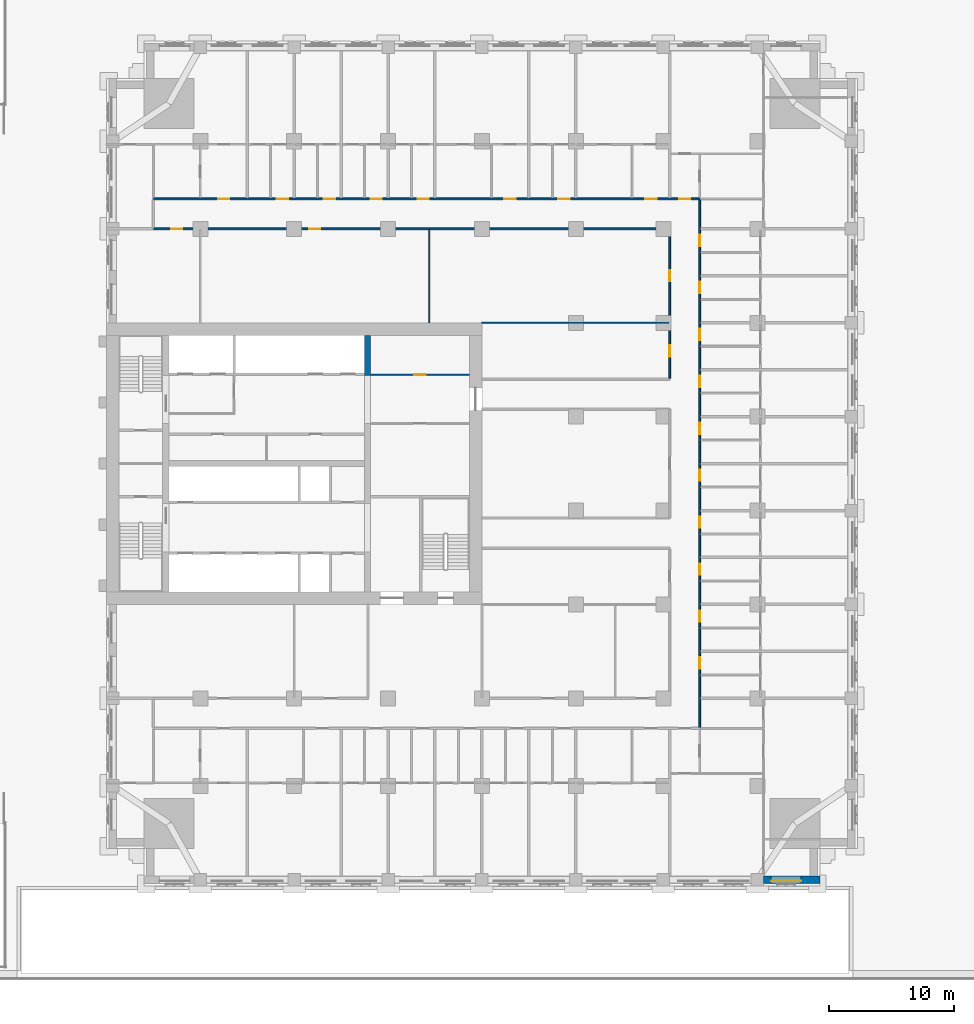
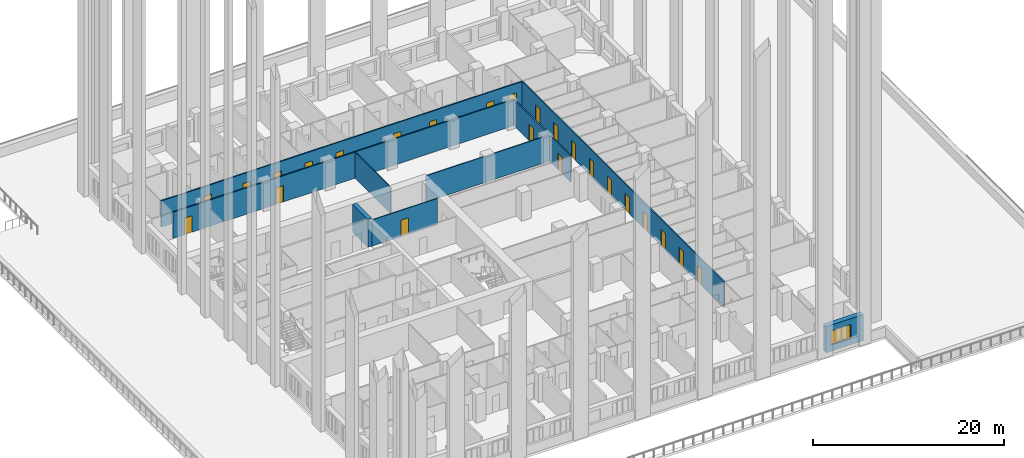
# One storey, part 15 of 27: 24 doors, 9 walls, 1 window, 25 openings.
"""IFC4 building model written with IfcOpenShell, lengths in metres."""

from ifc_helpers import new_model, si_unit, direction, frame, frame_2d, origin, place, context, subcontext, project, spatial, rectangle, extrude, material, layer, layer_set, type_object, element, fill, save


model = new_model("IFC4")

# Units and contexts
model_context = context("Model", 3, precision=1e-05, world=origin(), true_north=direction((0.0, 1.0)))
body_context = subcontext(model_context, "Body", "Model", "MODEL_VIEW")
ifc_project = project(units=[si_unit("LENGTHUNIT", "METRE"), si_unit("AREAUNIT", "SQUARE_METRE"), si_unit("VOLUMEUNIT", "CUBIC_METRE"), si_unit("PLANEANGLEUNIT", "RADIAN"), si_unit("MASSUNIT", "GRAM", prefix="KILO")], contexts=[model_context])

# Site, building, storey
site_placement = place(None, origin())
site = spatial("IfcSite", under=ifc_project, at=site_placement, CompositionType="ELEMENT")
building_placement = place(site_placement, origin())
building = spatial("IfcBuilding", under=site, at=building_placement, Name="Tamorin Gate", CompositionType="ELEMENT")
storey_placement = place(building_placement, frame((0.0, 0.0, 34.0)))
storey = spatial("IfcBuildingStorey", under=building, at=storey_placement, Name="L06", CompositionType="ELEMENT", Elevation=34.0)

# Wall, opening, window
ifc_material_1 = material(Name="Precast concrete C40/50", Category="concrete")
ifc_layer_1 = layer(ifc_material_1, 0.60009765625)
ifc_layer_set_1 = layer_set([ifc_layer_1], Name="Precast concrete C40/50")
wall_type_1 = type_object("IfcWallType", Name="Board-marked concrete facade panel 600", PredefinedType="SOLIDWALL", material=ifc_layer_set_1)
wall_1_placement = place(storey_placement, frame((82.5, 38.0, 0.0), z_axis=(0.0, 0.0, 1.0), x_axis=(1.0, 0.0, 0.0)))
wall_1 = element("IfcWall", 1, at=wall_1_placement, inside=storey, type_object=wall_type_1, Name="Facade panel", PredefinedType="SOLIDWALL", context=body_context, shape_type="SweptSolid", body=[
    extrude(rectangle(XDim=4.5, YDim=0.60009765625, at=frame_2d((2.25, 0.0))), origin(), (0.0, 0.0, 1.0), 3.35009765625),
])
opening_1_placement = place(wall_1_placement, frame((0.60009765625, 0.0, 0.800048828125)))
opening_1 = element("IfcOpeningElement", 2, at=opening_1_placement, cuts=wall_1, Name="Opening WN1", PredefinedType="OPENING", context=body_context, shape_type="SweptSolid", body=[
    extrude(rectangle(XDim=2.39990234375, YDim=1.800048828125, at=frame_2d((1.199951171875, 0.89990234375))), frame((0.0, 0.31005859375, 0.0), z_axis=(0.0, -1.0, 0.0), x_axis=(1.0, 0.0, 0.0)), (0.0, 0.0, 1.0), 0.6201171875),
])
ifc_material_2 = material(Name="Clear glass in aluminium frame", Category="aluminium")
window_type = type_object("IfcWindowType", Name="Deep-set window 2400x1800", PartitioningType="SINGLE_PANEL", PredefinedType="WINDOW", material=ifc_material_2)
window_placement = place(opening_1_placement, origin())
window = element("IfcWindow", 3, at=window_placement, inside=storey, type_object=window_type, Name="Deep-set window", OverallHeight=1.800048828125, OverallWidth=2.39990234375, PartitioningType="SINGLE_PANEL", PredefinedType="WINDOW", context=body_context, shape_type="SweptSolid", body=[
    extrude(rectangle(XDim=2.39990234375, YDim=1.800048828125, at=frame_2d((1.199951171875, 0.89990234375))), frame((0.0, -0.070068359375, 0.0), z_axis=(0.0, -1.0, 0.0), x_axis=(1.0, 0.0, 0.0)), (0.0, 0.0, 1.0), 0.06005859375),
])
fill(opening_1, window)

# Wall, openings, doors
ifc_material_3 = material(Name="Gypsum board partition")
ifc_layer_2 = layer(ifc_material_3, 0.14990234375)
ifc_layer_set_2 = layer_set([ifc_layer_2], Name="Corridor wall 150")
wall_type_2 = type_object("IfcWallType", Name="Corridor wall 150", PredefinedType="PARTITIONING", material=ifc_layer_set_2)
wall_2_placement = place(storey_placement, frame((33.75, 90.0, 0.0), z_axis=(0.0, 0.0, 1.0), x_axis=(1.0, 0.0, 0.0)))
wall_2 = element("IfcWall", 4, at=wall_2_placement, inside=storey, type_object=wall_type_2, Name="Corridor wall 150", PredefinedType="PARTITIONING", context=body_context, shape_type="SweptSolid", body=[
    extrude(rectangle(XDim=41.25, YDim=0.14990234375, at=frame_2d((20.625, 0.0))), origin(), (0.0, 0.0, 1.0), 3.35009765625),
])
opening_2_placement = place(wall_2_placement, frame((1.425048828125, 0.0, 0.0)))
opening_2 = element("IfcOpeningElement", 5, at=opening_2_placement, cuts=wall_2, Name="Opening DH1097", PredefinedType="OPENING", context=body_context, shape_type="SweptSolid", body=[
    extrude(rectangle(XDim=0.89990234375, YDim=2.10009765625, at=frame_2d((0.449951171875, 1.050048828125))), frame((0.0, 0.0849609375, 0.0), z_axis=(0.0, -1.0, 0.0), x_axis=(1.0, 0.0, 0.0)), (0.0, 0.0, 1.0), 0.169921875),
])
opening_3_placement = place(wall_2_placement, frame((12.449951171875, 0.0, 0.0)))
opening_3 = element("IfcOpeningElement", 6, at=opening_3_placement, cuts=wall_2, Name="Opening DH1098", PredefinedType="OPENING", context=body_context, shape_type="SweptSolid", body=[
    extrude(rectangle(XDim=0.89990234375, YDim=2.10009765625, at=frame_2d((0.449951171875, 1.050048828125))), frame((0.0, 0.0849609375, 0.0), z_axis=(0.0, -1.0, 0.0), x_axis=(1.0, 0.0, 0.0)), (0.0, 0.0, 1.0), 0.169921875),
])
ifc_material_4 = material(Name="Timber door leaf", Category="wood")
door_type_1 = type_object("IfcDoorType", Name="Door 900 x 2100 FD30S", OperationType="NOTDEFINED", PredefinedType="DOOR", material=ifc_material_4)
door_1_placement = place(opening_2_placement, origin())
door_1 = element("IfcDoor", 7, at=door_1_placement, inside=storey, type_object=door_type_1, Name="Door DH1097", OperationType="SINGLE_SWING_RIGHT", OverallHeight=2.10009765625, OverallWidth=0.89990234375, PredefinedType="DOOR", context=body_context, shape_type="SweptSolid", body=[
    extrude(rectangle(XDim=0.89990234375, YDim=2.10009765625, at=frame_2d((0.449951171875, 1.050048828125))), frame((0.0, 0.02490234375, 0.0), z_axis=(0.0, -1.0, 0.0), x_axis=(1.0, 0.0, 0.0)), (0.0, 0.0, 1.0), 0.050048828125),
])
fill(opening_2, door_1)
door_2_placement = place(opening_3_placement, origin())
door_2 = element("IfcDoor", 8, at=door_2_placement, inside=storey, type_object=door_type_1, Name="Door DH1098", OperationType="SINGLE_SWING_RIGHT", OverallHeight=2.10009765625, OverallWidth=0.89990234375, PredefinedType="DOOR", context=body_context, shape_type="SweptSolid", body=[
    extrude(rectangle(XDim=0.89990234375, YDim=2.10009765625, at=frame_2d((0.449951171875, 1.050048828125))), frame((0.0, 0.02490234375, 0.0), z_axis=(0.0, -1.0, 0.0), x_axis=(1.0, 0.0, 0.0)), (0.0, 0.0, 1.0), 0.050048828125),
])
fill(opening_3, door_2)

wall_3_placement = place(storey_placement, frame((33.75, 92.39990234375, 0.0), z_axis=(0.0, 0.0, 1.0), x_axis=(1.0, 0.0, 0.0)))
wall_3 = element("IfcWall", 9, at=wall_3_placement, inside=storey, type_object=wall_type_2, Name="Corridor wall 150", PredefinedType="PARTITIONING", context=body_context, shape_type="SweptSolid", body=[
    extrude(rectangle(XDim=43.64990234375, YDim=0.14990234375, at=frame_2d((21.824951171875, 0.0))), origin(), (0.0, 0.0, 1.0), 3.35009765625),
])
opening_4_placement = place(wall_3_placement, frame((5.175048828125, 0.0, 0.0)))
opening_4 = element("IfcOpeningElement", 10, at=opening_4_placement, cuts=wall_3, Name="Opening DH1028", PredefinedType="OPENING", context=body_context, shape_type="SweptSolid", body=[
    extrude(rectangle(XDim=0.89990234375, YDim=2.10009765625, at=frame_2d((0.449951171875, 1.050048828125))), frame((0.0, 0.0849609375, 0.0), z_axis=(0.0, -1.0, 0.0), x_axis=(1.0, 0.0, 0.0)), (0.0, 0.0, 1.0), 0.169921875),
])
opening_5_placement = place(wall_3_placement, frame((9.862548828125, 0.0, 0.0)))
opening_5 = element("IfcOpeningElement", 11, at=opening_5_placement, cuts=wall_3, Name="Opening DH1031", PredefinedType="OPENING", context=body_context, shape_type="SweptSolid", body=[
    extrude(rectangle(XDim=0.89990234375, YDim=2.10009765625, at=frame_2d((0.449951171875, 1.050048828125))), frame((0.0, 0.0849609375, 0.0), z_axis=(0.0, -1.0, 0.0), x_axis=(1.0, 0.0, 0.0)), (0.0, 0.0, 1.0), 0.169921875),
])
opening_6_placement = place(wall_3_placement, frame((13.612548828125, 0.0, 0.0)))
opening_6 = element("IfcOpeningElement", 12, at=opening_6_placement, cuts=wall_3, Name="Opening DH1034", PredefinedType="OPENING", context=body_context, shape_type="SweptSolid", body=[
    extrude(rectangle(XDim=0.89990234375, YDim=2.10009765625, at=frame_2d((0.449951171875, 1.050048828125))), frame((0.0, 0.0849609375, 0.0), z_axis=(0.0, -1.0, 0.0), x_axis=(1.0, 0.0, 0.0)), (0.0, 0.0, 1.0), 0.169921875),
])
opening_7_placement = place(wall_3_placement, frame((17.362548828125, 0.0, 0.0)))
opening_7 = element("IfcOpeningElement", 13, at=opening_7_placement, cuts=wall_3, Name="Opening DH1037", PredefinedType="OPENING", context=body_context, shape_type="SweptSolid", body=[
    extrude(rectangle(XDim=0.89990234375, YDim=2.10009765625, at=frame_2d((0.449951171875, 1.050048828125))), frame((0.0, 0.0849609375, 0.0), z_axis=(0.0, -1.0, 0.0), x_axis=(1.0, 0.0, 0.0)), (0.0, 0.0, 1.0), 0.169921875),
])
opening_8_placement = place(wall_3_placement, frame((21.112548828125, 0.0, 0.0)))
opening_8 = element("IfcOpeningElement", 14, at=opening_8_placement, cuts=wall_3, Name="Opening DH1040", PredefinedType="OPENING", context=body_context, shape_type="SweptSolid", body=[
    extrude(rectangle(XDim=0.89990234375, YDim=2.10009765625, at=frame_2d((0.449951171875, 1.050048828125))), frame((0.0, 0.0849609375, 0.0), z_axis=(0.0, -1.0, 0.0), x_axis=(1.0, 0.0, 0.0)), (0.0, 0.0, 1.0), 0.169921875),
])
opening_9_placement = place(wall_3_placement, frame((28.050048828125, 0.0, 0.0)))
opening_9 = element("IfcOpeningElement", 15, at=opening_9_placement, cuts=wall_3, Name="Opening DH1043", PredefinedType="OPENING", context=body_context, shape_type="SweptSolid", body=[
    extrude(rectangle(XDim=0.89990234375, YDim=2.10009765625, at=frame_2d((0.449951171875, 1.050048828125))), frame((0.0, 0.0849609375, 0.0), z_axis=(0.0, -1.0, 0.0), x_axis=(1.0, 0.0, 0.0)), (0.0, 0.0, 1.0), 0.169921875),
])
opening_10_placement = place(wall_3_placement, frame((32.362548828125, 0.0, 0.0)))
opening_10 = element("IfcOpeningElement", 16, at=opening_10_placement, cuts=wall_3, Name="Opening DH1046", PredefinedType="OPENING", context=body_context, shape_type="SweptSolid", body=[
    extrude(rectangle(XDim=0.89990234375, YDim=2.10009765625, at=frame_2d((0.449951171875, 1.050048828125))), frame((0.0, 0.0849609375, 0.0), z_axis=(0.0, -1.0, 0.0), x_axis=(1.0, 0.0, 0.0)), (0.0, 0.0, 1.0), 0.169921875),
])
opening_11_placement = place(wall_3_placement, frame((39.300048828125, 0.0, 0.0)))
opening_11 = element("IfcOpeningElement", 17, at=opening_11_placement, cuts=wall_3, Name="Opening DH1049", PredefinedType="OPENING", context=body_context, shape_type="SweptSolid", body=[
    extrude(rectangle(XDim=0.89990234375, YDim=2.10009765625, at=frame_2d((0.449951171875, 1.050048828125))), frame((0.0, 0.0849609375, 0.0), z_axis=(0.0, -1.0, 0.0), x_axis=(1.0, 0.0, 0.0)), (0.0, 0.0, 1.0), 0.169921875),
])
opening_12_placement = place(wall_3_placement, frame((42.0, 0.0, 0.0)))
opening_12 = element("IfcOpeningElement", 18, at=opening_12_placement, cuts=wall_3, Name="Opening DH1087", PredefinedType="OPENING", context=body_context, shape_type="SweptSolid", body=[
    extrude(rectangle(XDim=0.89990234375, YDim=2.10009765625, at=frame_2d((0.449951171875, 1.050048828125))), frame((0.0, 0.0849609375, 0.0), z_axis=(0.0, -1.0, 0.0), x_axis=(1.0, 0.0, 0.0)), (0.0, 0.0, 1.0), 0.169921875),
])
door_3_placement = place(opening_4_placement, origin())
door_3 = element("IfcDoor", 19, at=door_3_placement, inside=storey, type_object=door_type_1, Name="Door DH1028", OperationType="SINGLE_SWING_LEFT", OverallHeight=2.10009765625, OverallWidth=0.89990234375, PredefinedType="DOOR", context=body_context, shape_type="SweptSolid", body=[
    extrude(rectangle(XDim=0.89990234375, YDim=2.10009765625, at=frame_2d((0.449951171875, 1.050048828125))), frame((0.0, 0.02490234375, 0.0), z_axis=(0.0, -1.0, 0.0), x_axis=(1.0, 0.0, 0.0)), (0.0, 0.0, 1.0), 0.050048828125),
])
fill(opening_4, door_3)
door_4_placement = place(opening_5_placement, origin())
door_4 = element("IfcDoor", 20, at=door_4_placement, inside=storey, type_object=door_type_1, Name="Door DH1031", OperationType="SINGLE_SWING_LEFT", OverallHeight=2.10009765625, OverallWidth=0.89990234375, PredefinedType="DOOR", context=body_context, shape_type="SweptSolid", body=[
    extrude(rectangle(XDim=0.89990234375, YDim=2.10009765625, at=frame_2d((0.449951171875, 1.050048828125))), frame((0.0, 0.02490234375, 0.0), z_axis=(0.0, -1.0, 0.0), x_axis=(1.0, 0.0, 0.0)), (0.0, 0.0, 1.0), 0.050048828125),
])
fill(opening_5, door_4)
door_5_placement = place(opening_6_placement, origin())
door_5 = element("IfcDoor", 21, at=door_5_placement, inside=storey, type_object=door_type_1, Name="Door DH1034", OperationType="SINGLE_SWING_LEFT", OverallHeight=2.10009765625, OverallWidth=0.89990234375, PredefinedType="DOOR", context=body_context, shape_type="SweptSolid", body=[
    extrude(rectangle(XDim=0.89990234375, YDim=2.10009765625, at=frame_2d((0.449951171875, 1.050048828125))), frame((0.0, 0.02490234375, 0.0), z_axis=(0.0, -1.0, 0.0), x_axis=(1.0, 0.0, 0.0)), (0.0, 0.0, 1.0), 0.050048828125),
])
fill(opening_6, door_5)
door_6_placement = place(opening_7_placement, origin())
door_6 = element("IfcDoor", 22, at=door_6_placement, inside=storey, type_object=door_type_1, Name="Door DH1037", OperationType="SINGLE_SWING_LEFT", OverallHeight=2.10009765625, OverallWidth=0.89990234375, PredefinedType="DOOR", context=body_context, shape_type="SweptSolid", body=[
    extrude(rectangle(XDim=0.89990234375, YDim=2.10009765625, at=frame_2d((0.449951171875, 1.050048828125))), frame((0.0, 0.02490234375, 0.0), z_axis=(0.0, -1.0, 0.0), x_axis=(1.0, 0.0, 0.0)), (0.0, 0.0, 1.0), 0.050048828125),
])
fill(opening_7, door_6)
door_7_placement = place(opening_8_placement, origin())
door_7 = element("IfcDoor", 23, at=door_7_placement, inside=storey, type_object=door_type_1, Name="Door DH1040", OperationType="SINGLE_SWING_LEFT", OverallHeight=2.10009765625, OverallWidth=0.89990234375, PredefinedType="DOOR", context=body_context, shape_type="SweptSolid", body=[
    extrude(rectangle(XDim=0.89990234375, YDim=2.10009765625, at=frame_2d((0.449951171875, 1.050048828125))), frame((0.0, 0.02490234375, 0.0), z_axis=(0.0, -1.0, 0.0), x_axis=(1.0, 0.0, 0.0)), (0.0, 0.0, 1.0), 0.050048828125),
])
fill(opening_8, door_7)
door_8_placement = place(opening_9_placement, origin())
door_8 = element("IfcDoor", 24, at=door_8_placement, inside=storey, type_object=door_type_1, Name="Door DH1043", OperationType="SINGLE_SWING_LEFT", OverallHeight=2.10009765625, OverallWidth=0.89990234375, PredefinedType="DOOR", context=body_context, shape_type="SweptSolid", body=[
    extrude(rectangle(XDim=0.89990234375, YDim=2.10009765625, at=frame_2d((0.449951171875, 1.050048828125))), frame((0.0, 0.02490234375, 0.0), z_axis=(0.0, -1.0, 0.0), x_axis=(1.0, 0.0, 0.0)), (0.0, 0.0, 1.0), 0.050048828125),
])
fill(opening_9, door_8)
door_9_placement = place(opening_10_placement, origin())
door_9 = element("IfcDoor", 25, at=door_9_placement, inside=storey, type_object=door_type_1, Name="Door DH1046", OperationType="SINGLE_SWING_LEFT", OverallHeight=2.10009765625, OverallWidth=0.89990234375, PredefinedType="DOOR", context=body_context, shape_type="SweptSolid", body=[
    extrude(rectangle(XDim=0.89990234375, YDim=2.10009765625, at=frame_2d((0.449951171875, 1.050048828125))), frame((0.0, 0.02490234375, 0.0), z_axis=(0.0, -1.0, 0.0), x_axis=(1.0, 0.0, 0.0)), (0.0, 0.0, 1.0), 0.050048828125),
])
fill(opening_10, door_9)
door_10_placement = place(opening_11_placement, origin())
door_10 = element("IfcDoor", 26, at=door_10_placement, inside=storey, type_object=door_type_1, Name="Door DH1049", OperationType="SINGLE_SWING_LEFT", OverallHeight=2.10009765625, OverallWidth=0.89990234375, PredefinedType="DOOR", context=body_context, shape_type="SweptSolid", body=[
    extrude(rectangle(XDim=0.89990234375, YDim=2.10009765625, at=frame_2d((0.449951171875, 1.050048828125))), frame((0.0, 0.02490234375, 0.0), z_axis=(0.0, -1.0, 0.0), x_axis=(1.0, 0.0, 0.0)), (0.0, 0.0, 1.0), 0.050048828125),
])
fill(opening_11, door_10)
door_11_placement = place(opening_12_placement, origin())
door_11 = element("IfcDoor", 27, at=door_11_placement, inside=storey, type_object=door_type_1, Name="Door DH1087", OperationType="SINGLE_SWING_RIGHT", OverallHeight=2.10009765625, OverallWidth=0.89990234375, PredefinedType="DOOR", context=body_context, shape_type="SweptSolid", body=[
    extrude(rectangle(XDim=0.89990234375, YDim=2.10009765625, at=frame_2d((0.449951171875, 1.050048828125))), frame((0.0, 0.02490234375, 0.0), z_axis=(0.0, -1.0, 0.0), x_axis=(1.0, 0.0, 0.0)), (0.0, 0.0, 1.0), 0.050048828125),
])
fill(opening_12, door_11)

wall_4_placement = place(storey_placement, frame((75.0, 78.074951171875, 0.0), z_axis=(0.0, 0.0, 1.0), x_axis=(0.0, 1.0, 0.0)))
wall_4 = element("IfcWall", 28, at=wall_4_placement, inside=storey, type_object=wall_type_2, Name="Corridor wall 150", PredefinedType="PARTITIONING", context=body_context, shape_type="SweptSolid", body=[
    extrude(rectangle(XDim=11.85009765625, YDim=0.14990234375, at=frame_2d((5.925048828125, 0.0))), origin(), (0.0, 0.0, 1.0), 3.35009765625),
])
opening_13_placement = place(wall_4_placement, frame((7.72509765625, 0.0, 0.0)))
opening_13 = element("IfcOpeningElement", 29, at=opening_13_placement, cuts=wall_4, Name="Opening DH1099", PredefinedType="OPENING", context=body_context, shape_type="SweptSolid", body=[
    extrude(rectangle(XDim=0.89990234375, YDim=2.10009765625, at=frame_2d((0.449951171875, 1.050048828125))), frame((0.0, 0.0849609375, 0.0), z_axis=(0.0, -1.0, 0.0), x_axis=(1.0, 0.0, 0.0)), (0.0, 0.0, 1.0), 0.169921875),
])
opening_14_placement = place(wall_4_placement, frame((1.72509765625, 0.0, 0.0)))
opening_14 = element("IfcOpeningElement", 30, at=opening_14_placement, cuts=wall_4, Name="Opening DH1102", PredefinedType="OPENING", context=body_context, shape_type="SweptSolid", body=[
    extrude(rectangle(XDim=0.89990234375, YDim=2.10009765625, at=frame_2d((0.449951171875, 1.050048828125))), frame((0.0, 0.0849609375, 0.0), z_axis=(0.0, -1.0, 0.0), x_axis=(1.0, 0.0, 0.0)), (0.0, 0.0, 1.0), 0.169921875),
])
door_12_placement = place(opening_13_placement, origin())
door_12 = element("IfcDoor", 31, at=door_12_placement, inside=storey, type_object=door_type_1, Name="Door DH1099", OperationType="SINGLE_SWING_LEFT", OverallHeight=2.10009765625, OverallWidth=0.89990234375, PredefinedType="DOOR", context=body_context, shape_type="SweptSolid", body=[
    extrude(rectangle(XDim=0.89990234375, YDim=2.10009765625, at=frame_2d((0.449951171875, 1.050048828125))), frame((0.0, 0.02490234375, 0.0), z_axis=(0.0, -1.0, 0.0), x_axis=(1.0, 0.0, 0.0)), (0.0, 0.0, 1.0), 0.050048828125),
])
fill(opening_13, door_12)
door_13_placement = place(opening_14_placement, origin())
door_13 = element("IfcDoor", 32, at=door_13_placement, inside=storey, type_object=door_type_1, Name="Door DH1102", OperationType="SINGLE_SWING_LEFT", OverallHeight=2.10009765625, OverallWidth=0.89990234375, PredefinedType="DOOR", context=body_context, shape_type="SweptSolid", body=[
    extrude(rectangle(XDim=0.89990234375, YDim=2.10009765625, at=frame_2d((0.449951171875, 1.050048828125))), frame((0.0, 0.02490234375, 0.0), z_axis=(0.0, -1.0, 0.0), x_axis=(1.0, 0.0, 0.0)), (0.0, 0.0, 1.0), 0.050048828125),
])
fill(opening_14, door_13)

wall_5_placement = place(storey_placement, frame((77.39990234375, 50.175048828125, 0.0), z_axis=(0.0, 0.0, 1.0), x_axis=(0.0, 1.0, 0.0)))
wall_5 = element("IfcWall", 33, at=wall_5_placement, inside=storey, type_object=wall_type_2, Name="Corridor wall 150", PredefinedType="PARTITIONING", context=body_context, shape_type="SweptSolid", body=[
    extrude(rectangle(XDim=42.14990234375, YDim=0.14990234375, at=frame_2d((21.074951171875, 0.0))), origin(), (0.0, 0.0, 1.0), 3.35009765625),
])
opening_15_placement = place(wall_5_placement, frame((4.6875, 0.0, 0.0)))
opening_15 = element("IfcOpeningElement", 34, at=opening_15_placement, cuts=wall_5, Name="Opening DH1052", PredefinedType="OPENING", context=body_context, shape_type="SweptSolid", body=[
    extrude(rectangle(XDim=0.89990234375, YDim=2.10009765625, at=frame_2d((0.449951171875, 1.050048828125))), frame((0.0, 0.0849609375, 0.0), z_axis=(0.0, -1.0, 0.0), x_axis=(1.0, 0.0, 0.0)), (0.0, 0.0, 1.0), 0.169921875),
])
opening_16_placement = place(wall_5_placement, frame((8.4375, 0.0, 0.0)))
opening_16 = element("IfcOpeningElement", 35, at=opening_16_placement, cuts=wall_5, Name="Opening DH1055", PredefinedType="OPENING", context=body_context, shape_type="SweptSolid", body=[
    extrude(rectangle(XDim=0.89990234375, YDim=2.10009765625, at=frame_2d((0.449951171875, 1.050048828125))), frame((0.0, 0.0849609375, 0.0), z_axis=(0.0, -1.0, 0.0), x_axis=(1.0, 0.0, 0.0)), (0.0, 0.0, 1.0), 0.169921875),
])
opening_17_placement = place(wall_5_placement, frame((12.1875, 0.0, 0.0)))
opening_17 = element("IfcOpeningElement", 36, at=opening_17_placement, cuts=wall_5, Name="Opening DH1058", PredefinedType="OPENING", context=body_context, shape_type="SweptSolid", body=[
    extrude(rectangle(XDim=0.89990234375, YDim=2.10009765625, at=frame_2d((0.449951171875, 1.050048828125))), frame((0.0, 0.0849609375, 0.0), z_axis=(0.0, -1.0, 0.0), x_axis=(1.0, 0.0, 0.0)), (0.0, 0.0, 1.0), 0.169921875),
])
opening_18_placement = place(wall_5_placement, frame((15.9375, 0.0, 0.0)))
opening_18 = element("IfcOpeningElement", 37, at=opening_18_placement, cuts=wall_5, Name="Opening DH1061", PredefinedType="OPENING", context=body_context, shape_type="SweptSolid", body=[
    extrude(rectangle(XDim=0.89990234375, YDim=2.10009765625, at=frame_2d((0.449951171875, 1.050048828125))), frame((0.0, 0.0849609375, 0.0), z_axis=(0.0, -1.0, 0.0), x_axis=(1.0, 0.0, 0.0)), (0.0, 0.0, 1.0), 0.169921875),
])
opening_19_placement = place(wall_5_placement, frame((19.6875, 0.0, 0.0)))
opening_19 = element("IfcOpeningElement", 38, at=opening_19_placement, cuts=wall_5, Name="Opening DH1064", PredefinedType="OPENING", context=body_context, shape_type="SweptSolid", body=[
    extrude(rectangle(XDim=0.89990234375, YDim=2.10009765625, at=frame_2d((0.449951171875, 1.050048828125))), frame((0.0, 0.0849609375, 0.0), z_axis=(0.0, -1.0, 0.0), x_axis=(1.0, 0.0, 0.0)), (0.0, 0.0, 1.0), 0.169921875),
])
opening_20_placement = place(wall_5_placement, frame((23.4375, 0.0, 0.0)))
opening_20 = element("IfcOpeningElement", 39, at=opening_20_placement, cuts=wall_5, Name="Opening DH1067", PredefinedType="OPENING", context=body_context, shape_type="SweptSolid", body=[
    extrude(rectangle(XDim=0.89990234375, YDim=2.10009765625, at=frame_2d((0.449951171875, 1.050048828125))), frame((0.0, 0.0849609375, 0.0), z_axis=(0.0, -1.0, 0.0), x_axis=(1.0, 0.0, 0.0)), (0.0, 0.0, 1.0), 0.169921875),
])
opening_21_placement = place(wall_5_placement, frame((27.1875, 0.0, 0.0)))
opening_21 = element("IfcOpeningElement", 40, at=opening_21_placement, cuts=wall_5, Name="Opening DH1070", PredefinedType="OPENING", context=body_context, shape_type="SweptSolid", body=[
    extrude(rectangle(XDim=0.89990234375, YDim=2.10009765625, at=frame_2d((0.449951171875, 1.050048828125))), frame((0.0, 0.0849609375, 0.0), z_axis=(0.0, -1.0, 0.0), x_axis=(1.0, 0.0, 0.0)), (0.0, 0.0, 1.0), 0.169921875),
])
opening_22_placement = place(wall_5_placement, frame((30.9375, 0.0, 0.0)))
opening_22 = element("IfcOpeningElement", 41, at=opening_22_placement, cuts=wall_5, Name="Opening DH1073", PredefinedType="OPENING", context=body_context, shape_type="SweptSolid", body=[
    extrude(rectangle(XDim=0.89990234375, YDim=2.10009765625, at=frame_2d((0.449951171875, 1.050048828125))), frame((0.0, 0.0849609375, 0.0), z_axis=(0.0, -1.0, 0.0), x_axis=(1.0, 0.0, 0.0)), (0.0, 0.0, 1.0), 0.169921875),
])
opening_23_placement = place(wall_5_placement, frame((34.6875, 0.0, 0.0)))
opening_23 = element("IfcOpeningElement", 42, at=opening_23_placement, cuts=wall_5, Name="Opening DH1076", PredefinedType="OPENING", context=body_context, shape_type="SweptSolid", body=[
    extrude(rectangle(XDim=0.89990234375, YDim=2.10009765625, at=frame_2d((0.449951171875, 1.050048828125))), frame((0.0, 0.0849609375, 0.0), z_axis=(0.0, -1.0, 0.0), x_axis=(1.0, 0.0, 0.0)), (0.0, 0.0, 1.0), 0.169921875),
])
opening_24_placement = place(wall_5_placement, frame((38.4375, 0.0, 0.0)))
opening_24 = element("IfcOpeningElement", 43, at=opening_24_placement, cuts=wall_5, Name="Opening DH1079", PredefinedType="OPENING", context=body_context, shape_type="SweptSolid", body=[
    extrude(rectangle(XDim=0.89990234375, YDim=2.10009765625, at=frame_2d((0.449951171875, 1.050048828125))), frame((0.0, 0.0849609375, 0.0), z_axis=(0.0, -1.0, 0.0), x_axis=(1.0, 0.0, 0.0)), (0.0, 0.0, 1.0), 0.169921875),
])
door_14_placement = place(opening_15_placement, origin())
door_14 = element("IfcDoor", 44, at=door_14_placement, inside=storey, type_object=door_type_1, Name="Door DH1052", OperationType="SINGLE_SWING_RIGHT", OverallHeight=2.10009765625, OverallWidth=0.89990234375, PredefinedType="DOOR", context=body_context, shape_type="SweptSolid", body=[
    extrude(rectangle(XDim=0.89990234375, YDim=2.10009765625, at=frame_2d((0.449951171875, 1.050048828125))), frame((0.0, 0.02490234375, 0.0), z_axis=(0.0, -1.0, 0.0), x_axis=(1.0, 0.0, 0.0)), (0.0, 0.0, 1.0), 0.050048828125),
])
fill(opening_15, door_14)
door_15_placement = place(opening_16_placement, origin())
door_15 = element("IfcDoor", 45, at=door_15_placement, inside=storey, type_object=door_type_1, Name="Door DH1055", OperationType="SINGLE_SWING_RIGHT", OverallHeight=2.10009765625, OverallWidth=0.89990234375, PredefinedType="DOOR", context=body_context, shape_type="SweptSolid", body=[
    extrude(rectangle(XDim=0.89990234375, YDim=2.10009765625, at=frame_2d((0.449951171875, 1.050048828125))), frame((0.0, 0.02490234375, 0.0), z_axis=(0.0, -1.0, 0.0), x_axis=(1.0, 0.0, 0.0)), (0.0, 0.0, 1.0), 0.050048828125),
])
fill(opening_16, door_15)
door_16_placement = place(opening_17_placement, origin())
door_16 = element("IfcDoor", 46, at=door_16_placement, inside=storey, type_object=door_type_1, Name="Door DH1058", OperationType="SINGLE_SWING_RIGHT", OverallHeight=2.10009765625, OverallWidth=0.89990234375, PredefinedType="DOOR", context=body_context, shape_type="SweptSolid", body=[
    extrude(rectangle(XDim=0.89990234375, YDim=2.10009765625, at=frame_2d((0.449951171875, 1.050048828125))), frame((0.0, 0.02490234375, 0.0), z_axis=(0.0, -1.0, 0.0), x_axis=(1.0, 0.0, 0.0)), (0.0, 0.0, 1.0), 0.050048828125),
])
fill(opening_17, door_16)
door_17_placement = place(opening_18_placement, origin())
door_17 = element("IfcDoor", 47, at=door_17_placement, inside=storey, type_object=door_type_1, Name="Door DH1061", OperationType="SINGLE_SWING_RIGHT", OverallHeight=2.10009765625, OverallWidth=0.89990234375, PredefinedType="DOOR", context=body_context, shape_type="SweptSolid", body=[
    extrude(rectangle(XDim=0.89990234375, YDim=2.10009765625, at=frame_2d((0.449951171875, 1.050048828125))), frame((0.0, 0.02490234375, 0.0), z_axis=(0.0, -1.0, 0.0), x_axis=(1.0, 0.0, 0.0)), (0.0, 0.0, 1.0), 0.050048828125),
])
fill(opening_18, door_17)
door_18_placement = place(opening_19_placement, origin())
door_18 = element("IfcDoor", 48, at=door_18_placement, inside=storey, type_object=door_type_1, Name="Door DH1064", OperationType="SINGLE_SWING_RIGHT", OverallHeight=2.10009765625, OverallWidth=0.89990234375, PredefinedType="DOOR", context=body_context, shape_type="SweptSolid", body=[
    extrude(rectangle(XDim=0.89990234375, YDim=2.10009765625, at=frame_2d((0.449951171875, 1.050048828125))), frame((0.0, 0.02490234375, 0.0), z_axis=(0.0, -1.0, 0.0), x_axis=(1.0, 0.0, 0.0)), (0.0, 0.0, 1.0), 0.050048828125),
])
fill(opening_19, door_18)
door_19_placement = place(opening_20_placement, origin())
door_19 = element("IfcDoor", 49, at=door_19_placement, inside=storey, type_object=door_type_1, Name="Door DH1067", OperationType="SINGLE_SWING_RIGHT", OverallHeight=2.10009765625, OverallWidth=0.89990234375, PredefinedType="DOOR", context=body_context, shape_type="SweptSolid", body=[
    extrude(rectangle(XDim=0.89990234375, YDim=2.10009765625, at=frame_2d((0.449951171875, 1.050048828125))), frame((0.0, 0.02490234375, 0.0), z_axis=(0.0, -1.0, 0.0), x_axis=(1.0, 0.0, 0.0)), (0.0, 0.0, 1.0), 0.050048828125),
])
fill(opening_20, door_19)
door_20_placement = place(opening_21_placement, origin())
door_20 = element("IfcDoor", 50, at=door_20_placement, inside=storey, type_object=door_type_1, Name="Door DH1070", OperationType="SINGLE_SWING_RIGHT", OverallHeight=2.10009765625, OverallWidth=0.89990234375, PredefinedType="DOOR", context=body_context, shape_type="SweptSolid", body=[
    extrude(rectangle(XDim=0.89990234375, YDim=2.10009765625, at=frame_2d((0.449951171875, 1.050048828125))), frame((0.0, 0.02490234375, 0.0), z_axis=(0.0, -1.0, 0.0), x_axis=(1.0, 0.0, 0.0)), (0.0, 0.0, 1.0), 0.050048828125),
])
fill(opening_21, door_20)
door_21_placement = place(opening_22_placement, origin())
door_21 = element("IfcDoor", 51, at=door_21_placement, inside=storey, type_object=door_type_1, Name="Door DH1073", OperationType="SINGLE_SWING_RIGHT", OverallHeight=2.10009765625, OverallWidth=0.89990234375, PredefinedType="DOOR", context=body_context, shape_type="SweptSolid", body=[
    extrude(rectangle(XDim=0.89990234375, YDim=2.10009765625, at=frame_2d((0.449951171875, 1.050048828125))), frame((0.0, 0.02490234375, 0.0), z_axis=(0.0, -1.0, 0.0), x_axis=(1.0, 0.0, 0.0)), (0.0, 0.0, 1.0), 0.050048828125),
])
fill(opening_22, door_21)
door_22_placement = place(opening_23_placement, origin())
door_22 = element("IfcDoor", 52, at=door_22_placement, inside=storey, type_object=door_type_1, Name="Door DH1076", OperationType="SINGLE_SWING_RIGHT", OverallHeight=2.10009765625, OverallWidth=0.89990234375, PredefinedType="DOOR", context=body_context, shape_type="SweptSolid", body=[
    extrude(rectangle(XDim=0.89990234375, YDim=2.10009765625, at=frame_2d((0.449951171875, 1.050048828125))), frame((0.0, 0.02490234375, 0.0), z_axis=(0.0, -1.0, 0.0), x_axis=(1.0, 0.0, 0.0)), (0.0, 0.0, 1.0), 0.050048828125),
])
fill(opening_23, door_22)
door_23_placement = place(opening_24_placement, origin())
door_23 = element("IfcDoor", 53, at=door_23_placement, inside=storey, type_object=door_type_1, Name="Door DH1079", OperationType="SINGLE_SWING_RIGHT", OverallHeight=2.10009765625, OverallWidth=0.89990234375, PredefinedType="DOOR", context=body_context, shape_type="SweptSolid", body=[
    extrude(rectangle(XDim=0.89990234375, YDim=2.10009765625, at=frame_2d((0.449951171875, 1.050048828125))), frame((0.0, 0.02490234375, 0.0), z_axis=(0.0, -1.0, 0.0), x_axis=(1.0, 0.0, 0.0)), (0.0, 0.0, 1.0), 0.050048828125),
])
fill(opening_24, door_23)

# Walls
ifc_material_5 = material(Name="Concrete C80/95", Category="concrete")
ifc_layer_3 = layer(ifc_material_5, 0.5)
ifc_layer_set_3 = layer_set([ifc_layer_3], Name="RC core internal wall 500 C80/95")
wall_type_3 = type_object("IfcWallType", Name="RC core internal wall 500 C80/95", PredefinedType="SHEAR", material=ifc_layer_set_3)
wall_6_placement = place(storey_placement, frame((50.85009765625, 78.300048828125, 0.0), z_axis=(0.0, 0.0, 1.0), x_axis=(0.0, 1.0, 0.0)))
element("IfcWall", 54, at=wall_6_placement, inside=storey, type_object=wall_type_3, Name="Core cross wall L06", PredefinedType="SHEAR", context=body_context, shape_type="SweptSolid", body=[
    extrude(rectangle(XDim=3.199951171875, YDim=0.5, at=frame_2d((1.60009765625, 0.0))), origin(), (0.0, 0.0, 1.0), 3.60009765625),
])
ifc_layer_4 = layer(ifc_material_3, 0.10009765625)
ifc_layer_set_4 = layer_set([ifc_layer_4], Name="Room partition 100")
wall_type_4 = type_object("IfcWallType", Name="Room partition 100", PredefinedType="PARTITIONING", material=ifc_layer_set_4)
wall_7_placement = place(storey_placement, frame((60.0, 82.5, 0.0), z_axis=(0.0, 0.0, 1.0), x_axis=(1.0, 0.0, 0.0)))
element("IfcWall", 55, at=wall_7_placement, inside=storey, type_object=wall_type_4, Name="Room partition 100", PredefinedType="PARTITIONING", context=body_context, shape_type="SweptSolid", body=[
    extrude(rectangle(XDim=14.925048828125, YDim=0.10009765625, at=frame_2d((7.46240234375, 0.0))), origin(), (0.0, 0.0, 1.0), 3.35009765625),
])
wall_8_placement = place(storey_placement, frame((55.800048828125, 82.5, 0.0), z_axis=(0.0, 0.0, 1.0), x_axis=(0.0, 1.0, 0.0)))
element("IfcWall", 56, at=wall_8_placement, inside=storey, type_object=wall_type_4, Name="Room partition 100", PredefinedType="PARTITIONING", context=body_context, shape_type="SweptSolid", body=[
    extrude(rectangle(XDim=7.425048828125, YDim=0.10009765625, at=frame_2d((3.71240234375, 0.0))), origin(), (0.0, 0.0, 1.0), 3.35009765625),
])

# Wall, opening, door
ifc_layer_5 = layer(ifc_material_3, 0.10009765625)
ifc_layer_set_5 = layer_set([ifc_layer_5], Name="Service room partition 100 EI 60")
wall_type_5 = type_object("IfcWallType", Name="Service room partition 100 EI 60", PredefinedType="PARTITIONING", material=ifc_layer_set_5)
wall_9_placement = place(storey_placement, frame((51.10009765625, 78.35009765625, 0.0), z_axis=(0.0, 0.0, 1.0), x_axis=(1.0, 0.0, 0.0)))
wall_9 = element("IfcWall", 57, at=wall_9_placement, inside=storey, type_object=wall_type_5, Name="Service room wall", PredefinedType="PARTITIONING", context=body_context, shape_type="SweptSolid", body=[
    extrude(rectangle(XDim=7.89990234375, YDim=0.10009765625, at=frame_2d((3.949951171875, 0.0))), origin(), (0.0, 0.0, 1.0), 3.35009765625),
])
opening_25_placement = place(wall_9_placement, frame((3.5, 0.0, 0.0)))
opening_25 = element("IfcOpeningElement", 58, at=opening_25_placement, cuts=wall_9, Name="Opening DK1", PredefinedType="OPENING", context=body_context, shape_type="SweptSolid", body=[
    extrude(rectangle(XDim=0.89990234375, YDim=2.10009765625, at=frame_2d((0.449951171875, 1.050048828125))), frame((0.0, 0.06005859375, 0.0), z_axis=(0.0, -1.0, 0.0), x_axis=(1.0, 0.0, 0.0)), (0.0, 0.0, 1.0), 0.1201171875),
])
ifc_material_6 = material(Name="Timber fire door", Category="wood")
door_type_2 = type_object("IfcDoorType", Name="Service room door 900 x 2100 EI 60", OperationType="SINGLE_SWING_LEFT", PredefinedType="DOOR", material=ifc_material_6)
door_24_placement = place(opening_25_placement, origin())
door_24 = element("IfcDoor", 59, at=door_24_placement, inside=storey, type_object=door_type_2, Name="Door Pantry", OperationType="SINGLE_SWING_RIGHT", OverallHeight=2.10009765625, OverallWidth=0.89990234375, PredefinedType="DOOR", context=body_context, shape_type="SweptSolid", body=[
    extrude(rectangle(XDim=0.89990234375, YDim=2.10009765625, at=frame_2d((0.449951171875, 1.050048828125))), frame((0.0, 0.02490234375, 0.0), z_axis=(0.0, -1.0, 0.0), x_axis=(1.0, 0.0, 0.0)), (0.0, 0.0, 1.0), 0.050048828125),
])
fill(opening_25, door_24)

save(model, "model.ifc")
